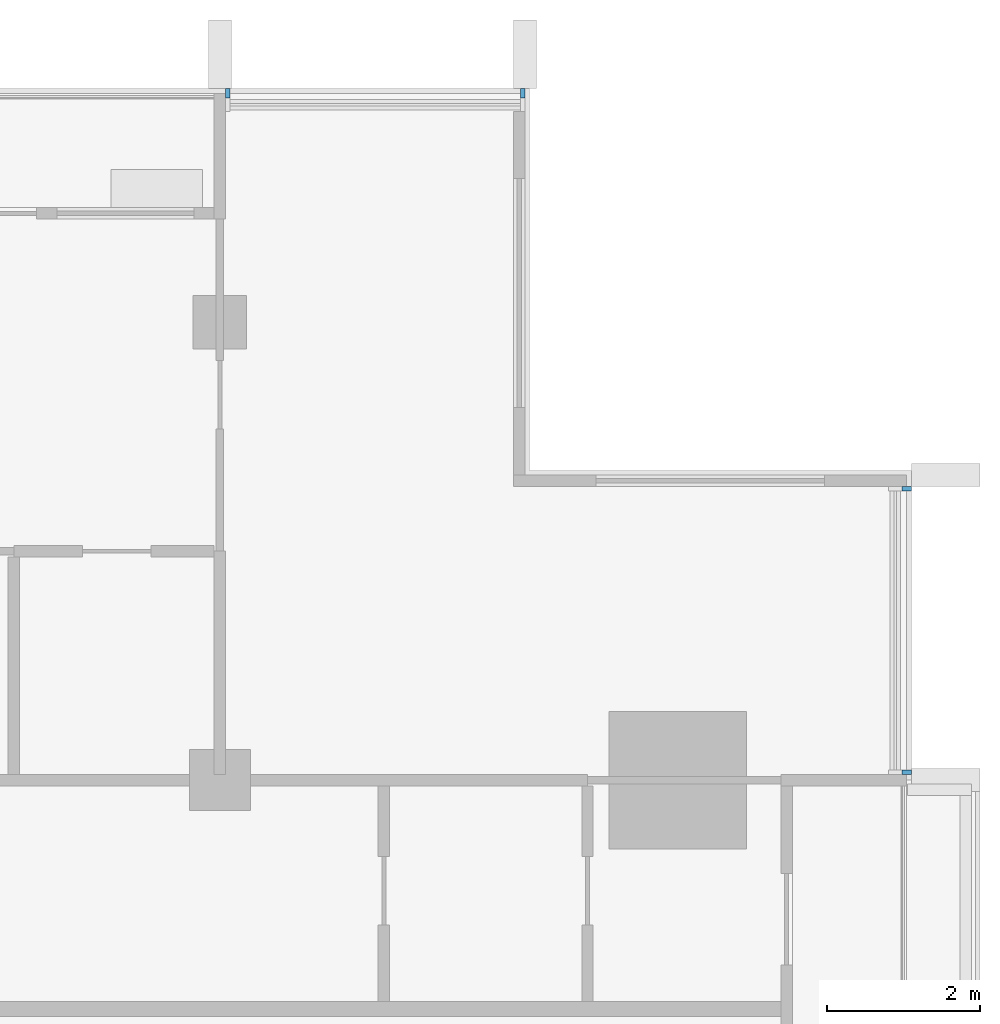
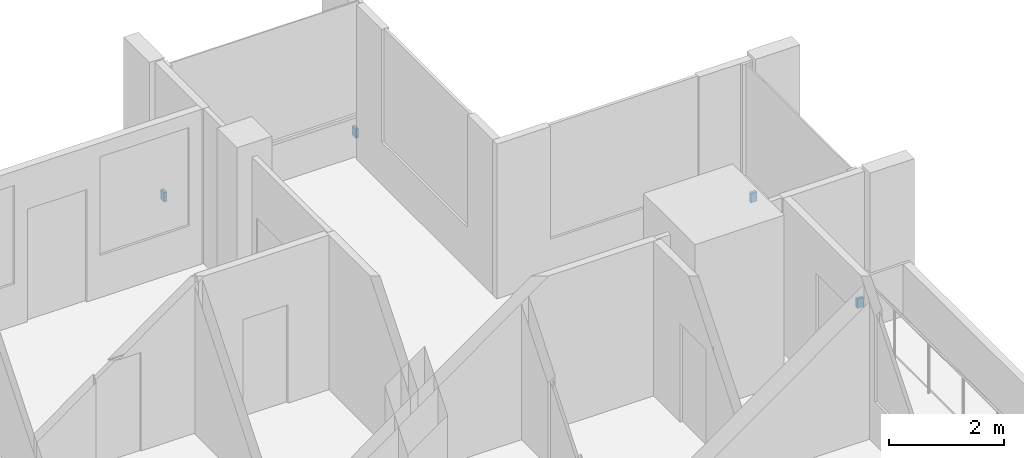
# One storey, part 15 of 16: 4 discrete accessories.
"""IFC4 building model written with IfcOpenShell, lengths in metres."""

from ifc_helpers import new_model, si_unit, direction, frame, origin, origin_2d, place, context, subcontext, project, spatial, rectangle, extrude, material, type_object, element, save


model = new_model("IFC4")

# Units and contexts
model_context = context("Model", 3, precision=1e-05, world=origin(), true_north=direction((0.0, 1.0)))
body_context = subcontext(model_context, "Body", "Model", "MODEL_VIEW")
ifc_project = project(units=[si_unit("LENGTHUNIT", "METRE"), si_unit("AREAUNIT", "SQUARE_METRE"), si_unit("VOLUMEUNIT", "CUBIC_METRE"), si_unit("PLANEANGLEUNIT", "RADIAN"), si_unit("MASSUNIT", "GRAM", prefix="KILO")], contexts=[model_context])

# Site, building, storey
site_placement = place(None, origin())
site = spatial("IfcSite", under=ifc_project, at=site_placement, CompositionType="ELEMENT")
building_placement = place(site_placement, origin())
building = spatial("IfcBuilding", under=site, at=building_placement, Name="Finial Court Residences", CompositionType="ELEMENT")
storey_placement = place(building_placement, frame((0.0, 0.0, 259.10009765625)))
storey = spatial("IfcBuildingStorey", under=building, at=storey_placement, Name="L65", CompositionType="ELEMENT", Elevation=259.10009765625)

# Discrete accessories
ifc_material = material(Name="Stainless steel 316", Category="steel")
discrete_accessory_type = type_object("IfcDiscreteAccessoryType", Name="Fin bracket, stainless steel 60 x 122 x 200", PredefinedType="BRACKET", material=ifc_material)
for number, where, z_axis, x_axis, name in (
    (1, (10.60498046875, 16.498779296875, 0.2998046875), (0.0, 0.0, 1.0), (1.0, 0.0, 0.0), "E-L65-FIN-N5-BRK"),
    (2, (14.469970703125, 16.498779296875, 0.2998046875), (0.0, 0.0, 1.0), (1.0, 0.0, 0.0), "E-L65-FIN-N6-BRK"),
):
    element("IfcDiscreteAccessory", number, at=place(storey_placement, frame(where, z_axis=z_axis, x_axis=x_axis)), inside=storey, type_object=discrete_accessory_type, Name=name, PredefinedType="BRACKET", context=body_context, shape_type="SweptSolid", body=[
        extrude(rectangle(XDim=0.06005859375, YDim=0.12255859375, at=origin_2d()), origin(), (0.0, 0.0, 1.0), 0.199951171875),
    ])
for number, where, z_axis, x_axis, name in (
    (3, (19.498779296875, 7.60498046875, 0.2998046875), (0.0, 0.0, 1.0), (1.0, 0.0, 0.0), "E-L65-FIN-E11-BRK"),
    (4, (19.498779296875, 11.320068359375, 0.2998046875), (0.0, 0.0, 1.0), (1.0, 0.0, 0.0), "E-L65-FIN-E12-BRK"),
):
    element("IfcDiscreteAccessory", number, at=place(storey_placement, frame(where, z_axis=z_axis, x_axis=x_axis)), inside=storey, type_object=discrete_accessory_type, Name=name, PredefinedType="BRACKET", context=body_context, shape_type="SweptSolid", body=[
        extrude(rectangle(XDim=0.12255859375, YDim=0.06005859375, at=origin_2d()), origin(), (0.0, 0.0, 1.0), 0.199951171875),
    ])

save(model, "model.ifc")
